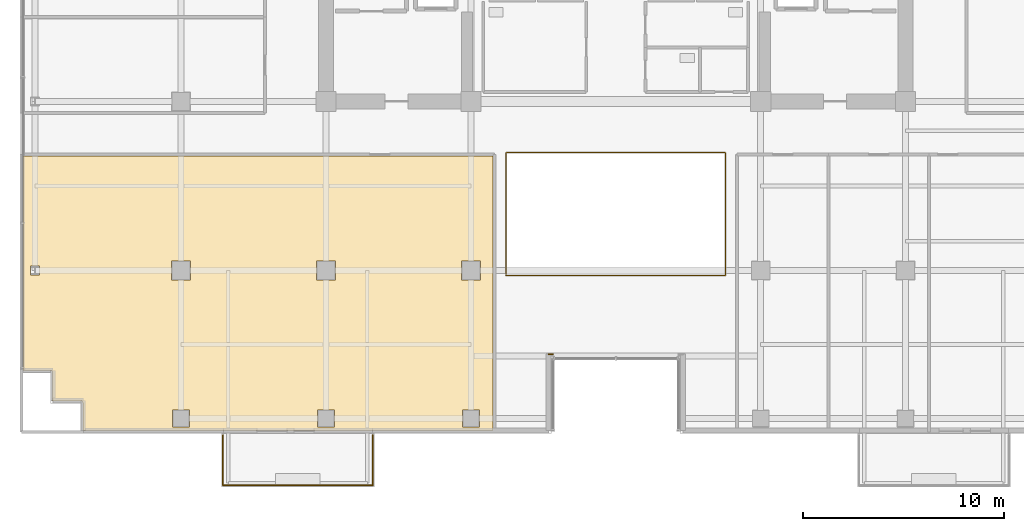
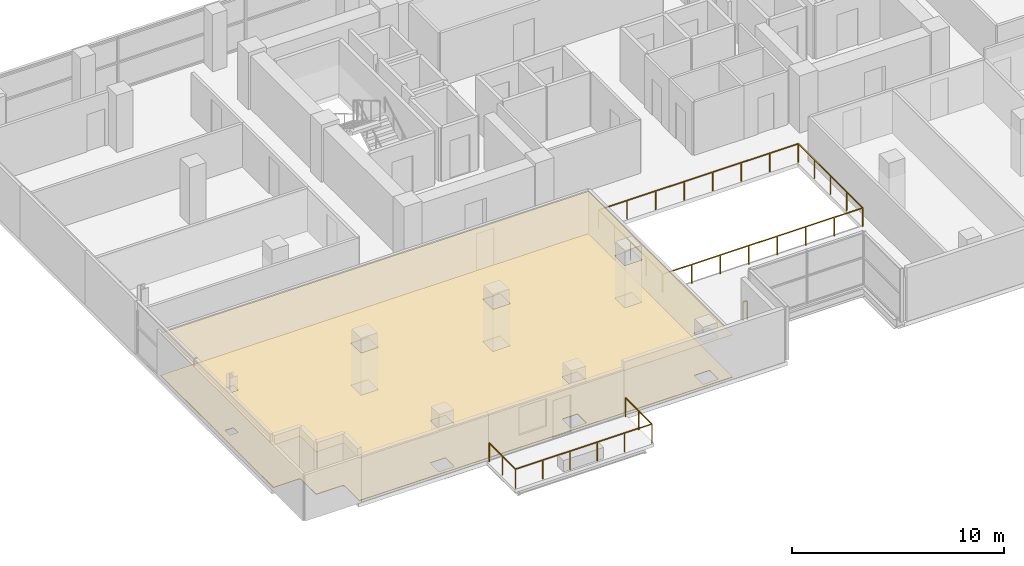
# One storey, part 23 of 27: 3 railings, 2 coverings.
"""IFC4 building model written with IfcOpenShell, lengths in metres."""

from ifc_helpers import new_model, si_unit, direction, frame, origin, origin_2d, place, context, subcontext, project, spatial, polyline, rectangle, outline, extrude, material, layer, layer_set, type_object, element, save


model = new_model("IFC4")

# Units and contexts
model_context = context("Model", 3, precision=1e-05, world=origin(), true_north=direction((0.0, 1.0)))
body_context = subcontext(model_context, "Body", "Model", "MODEL_VIEW")
ifc_project = project(units=[si_unit("LENGTHUNIT", "METRE"), si_unit("AREAUNIT", "SQUARE_METRE"), si_unit("VOLUMEUNIT", "CUBIC_METRE"), si_unit("PLANEANGLEUNIT", "RADIAN"), si_unit("MASSUNIT", "GRAM", prefix="KILO")], contexts=[model_context])

# Site, building, storey
site_placement = place(None, origin())
site = spatial("IfcSite", under=ifc_project, at=site_placement, CompositionType="ELEMENT")
building_placement = place(site_placement, origin())
building = spatial("IfcBuilding", under=site, at=building_placement, Name="Zarnakvel Exchange Tower", CompositionType="ELEMENT")
storey_placement = place(building_placement, frame((0.0, 0.0, 106.60009765625)))
storey = spatial("IfcBuildingStorey", under=building, at=storey_placement, Name="L29", CompositionType="ELEMENT", Elevation=106.60009765625)

# Coverings
ifc_material_1 = material(Name="Perforated Bronze Acoustic Metal Ceiling", Category="aluminium")
ifc_layer_1 = layer(ifc_material_1, 0.02001953125)
ifc_layer_set_1 = layer_set([ifc_layer_1], Name="Perforated Bronze Acoustic Metal Ceiling")
covering_type_1 = type_object("IfcCoveringType", Name="CLG-01", PredefinedType="CEILING", material=ifc_layer_set_1)
covering_1_placement = place(storey_placement, frame((0.0, 0.0, 2.454833984375)))
element("IfcCovering", 1, at=covering_1_placement, inside=storey, type_object=covering_type_1, Name="L29 Suspended Acoustic Ceiling (Derivatives Trading Hall)", PredefinedType="CEILING", context=body_context, shape_type="SweptSolid", body=[
    extrude(outline(polyline([(-6.10009765625, -3.909912109375), (-6.10009765625, -17.550048828125), (-26.47998046875, -17.550048828125), (-26.47998046875, -16.199951171875), (-26.48046875, -16.188232421875), (-26.482421875, -16.176513671875), (-26.485107421875, -16.165283203125), (-26.489013671875, -16.154052734375), (-26.494140625, -16.143310546875), (-26.500244140625, -16.13330078125), (-26.50732421875, -16.123779296875), (-26.51513671875, -16.115234375), (-26.52392578125, -16.107177734375), (-26.533447265625, -16.100341796875), (-26.54345703125, -16.09423828125), (-26.55419921875, -16.089111328125), (-26.565185546875, -16.085205078125), (-26.57666015625, -16.082275390625), (-26.588134765625, -16.08056640625), (-26.60009765625, -16.080078125), (-27.97998046875, -16.080078125), (-27.97998046875, -14.699951171875), (-27.98046875, -14.688232421875), (-27.982421875, -14.676513671875), (-27.985107421875, -14.665283203125), (-27.989013671875, -14.654052734375), (-27.994140625, -14.643310546875), (-28.000244140625, -14.63330078125), (-28.00732421875, -14.623779296875), (-28.01513671875, -14.615234375), (-28.02392578125, -14.607177734375), (-28.033447265625, -14.600341796875), (-28.04345703125, -14.59423828125), (-28.05419921875, -14.589111328125), (-28.065185546875, -14.585205078125), (-28.07666015625, -14.582275390625), (-28.088134765625, -14.58056640625), (-28.10009765625, -14.580078125), (-29.449951171875, -14.580078125), (-29.449951171875, -3.909912109375), (-6.10009765625, -3.909912109375)]), holes=[polyline([(-7.669921875, -10.070068359375), (-6.72998046875, -10.070068359375), (-6.72998046875, -9.1298828125), (-7.669921875, -9.1298828125), (-7.669921875, -10.070068359375)]), polyline([(-6.780029296875, -17.3701171875), (-6.780029296875, -16.530029296875), (-7.6201171875, -16.530029296875), (-7.6201171875, -17.3701171875), (-6.780029296875, -17.3701171875)]), polyline([(-13.929931640625, -10.070068359375), (-13.929931640625, -9.1298828125), (-14.8701171875, -9.1298828125), (-14.8701171875, -10.070068359375), (-13.929931640625, -10.070068359375)]), polyline([(-13.97998046875, -17.3701171875), (-13.97998046875, -16.530029296875), (-14.820068359375, -16.530029296875), (-14.820068359375, -17.3701171875), (-13.97998046875, -17.3701171875)]), polyline([(-21.1298828125, -10.070068359375), (-21.1298828125, -9.1298828125), (-22.070068359375, -9.1298828125), (-22.070068359375, -10.070068359375), (-21.1298828125, -10.070068359375)]), polyline([(-21.179931640625, -17.3701171875), (-21.179931640625, -16.530029296875), (-22.02001953125, -16.530029296875), (-22.02001953125, -17.3701171875), (-21.179931640625, -17.3701171875)]), polyline([(-29.072021484375, -9.823486328125), (-28.6279296875, -9.823486328125), (-28.6279296875, -9.37646484375), (-29.072021484375, -9.37646484375), (-29.072021484375, -9.823486328125)])]), origin(), (0.0, 0.0, 1.0), 0.02001953125),
])
ifc_material_2 = material(Name="Heavy-Duty Raised Access Floor Panel", Category="steel")
ifc_layer_2 = layer(ifc_material_2, 0.034912109375)
ifc_layer_set_2 = layer_set([ifc_layer_2], Name="Heavy-Duty Raised Access Floor Panel")
covering_type_2 = type_object("IfcCoveringType", Name="FLR-02", PredefinedType="FLOORING", material=ifc_layer_set_2)
covering_2_placement = place(storey_placement, origin())
element("IfcCovering", 2, at=covering_2_placement, inside=storey, type_object=covering_type_2, Name="L29 Floor Finish (Derivatives Trading Hall)", PredefinedType="FLOORING", context=body_context, shape_type="SweptSolid", body=[
    extrude(outline(polyline([(-6.10009765625, -3.909912109375), (-6.10009765625, -17.550048828125), (-26.47998046875, -17.550048828125), (-26.47998046875, -16.199951171875), (-26.48046875, -16.188232421875), (-26.482421875, -16.176513671875), (-26.485107421875, -16.165283203125), (-26.489013671875, -16.154052734375), (-26.494140625, -16.143310546875), (-26.500244140625, -16.13330078125), (-26.50732421875, -16.123779296875), (-26.51513671875, -16.115234375), (-26.52392578125, -16.107177734375), (-26.533447265625, -16.100341796875), (-26.54345703125, -16.09423828125), (-26.55419921875, -16.089111328125), (-26.565185546875, -16.085205078125), (-26.57666015625, -16.082275390625), (-26.588134765625, -16.08056640625), (-26.60009765625, -16.080078125), (-27.97998046875, -16.080078125), (-27.97998046875, -14.699951171875), (-27.98046875, -14.688232421875), (-27.982421875, -14.676513671875), (-27.985107421875, -14.665283203125), (-27.989013671875, -14.654052734375), (-27.994140625, -14.643310546875), (-28.000244140625, -14.63330078125), (-28.00732421875, -14.623779296875), (-28.01513671875, -14.615234375), (-28.02392578125, -14.607177734375), (-28.033447265625, -14.600341796875), (-28.04345703125, -14.59423828125), (-28.05419921875, -14.589111328125), (-28.065185546875, -14.585205078125), (-28.07666015625, -14.582275390625), (-28.088134765625, -14.58056640625), (-28.10009765625, -14.580078125), (-29.449951171875, -14.580078125), (-29.449951171875, -3.909912109375), (-6.10009765625, -3.909912109375)]), holes=[polyline([(-7.669921875, -10.070068359375), (-6.72998046875, -10.070068359375), (-6.72998046875, -9.1298828125), (-7.669921875, -9.1298828125), (-7.669921875, -10.070068359375)]), polyline([(-6.780029296875, -17.3701171875), (-6.780029296875, -16.530029296875), (-7.6201171875, -16.530029296875), (-7.6201171875, -17.3701171875), (-6.780029296875, -17.3701171875)]), polyline([(-13.929931640625, -10.070068359375), (-13.929931640625, -9.1298828125), (-14.8701171875, -9.1298828125), (-14.8701171875, -10.070068359375), (-13.929931640625, -10.070068359375)]), polyline([(-13.97998046875, -17.3701171875), (-13.97998046875, -16.530029296875), (-14.820068359375, -16.530029296875), (-14.820068359375, -17.3701171875), (-13.97998046875, -17.3701171875)]), polyline([(-21.1298828125, -10.070068359375), (-21.1298828125, -9.1298828125), (-22.070068359375, -9.1298828125), (-22.070068359375, -10.070068359375), (-21.1298828125, -10.070068359375)]), polyline([(-21.179931640625, -17.3701171875), (-21.179931640625, -16.530029296875), (-22.02001953125, -16.530029296875), (-22.02001953125, -17.3701171875), (-21.179931640625, -17.3701171875)]), polyline([(-29.072021484375, -9.823486328125), (-28.6279296875, -9.823486328125), (-28.6279296875, -9.37646484375), (-29.072021484375, -9.37646484375), (-29.072021484375, -9.823486328125)])]), origin(), (0.0, 0.0, 1.0), 0.034912109375),
])

# Railings
ifc_material_3 = material(Name="Architectural Bronze Anodised Aluminium", Category="aluminium")
railing_type_1 = type_object("IfcRailingType", Name="GR-02", PredefinedType="GUARDRAIL", material=ifc_material_3)
railing_1_placement = place(storey_placement, frame((-19.52001953125, -17.780029296875, -0.03515625)))
element("IfcRailing", 3, at=railing_1_placement, inside=storey, type_object=railing_type_1, Name="L29 Balcony Guardrail BAL-L29-SW", PredefinedType="GUARDRAIL", context=body_context, shape_type="SweptSolid", body=[
    extrude(rectangle(XDim=0.048095703125, YDim=0.048095703125, at=origin_2d()), frame((0.0, 0.0, 1.09619140625), z_axis=(0.0, -1.0, 0.0), x_axis=(1.0, 0.0, 0.0)), (0.0, 0.0, 1.0), 2.489990234375),
    extrude(rectangle(XDim=0.048095703125, YDim=0.048095703125, at=origin_2d()), frame((0.0, -2.489990234375, 1.09619140625), z_axis=(1.0, 0.0, 0.0), x_axis=(0.0, 1.0, 0.0)), (0.0, 0.0, 1.0), 7.43994140625),
    extrude(rectangle(XDim=0.048095703125, YDim=0.048095703125, at=origin_2d()), frame((7.43994140625, -2.489990234375, 1.09619140625), z_axis=(0.0, 1.0, 0.0), x_axis=(-1.0, 0.0, 0.0)), (0.0, 0.0, 1.0), 2.489990234375),
    extrude(rectangle(XDim=0.0419921875, YDim=0.0419921875, at=origin_2d()), origin(), (0.0, 0.0, 1.0), 1.072021484375),
    extrude(rectangle(XDim=0.0419921875, YDim=0.0419921875, at=origin_2d()), frame((0.0, -1.2451171875, 0.0)), (0.0, 0.0, 1.0), 1.072021484375),
    extrude(rectangle(XDim=0.0419921875, YDim=0.0419921875, at=origin_2d()), frame((0.0, -2.489990234375, 0.0)), (0.0, 0.0, 1.0), 1.072021484375),
    extrude(rectangle(XDim=0.0419921875, YDim=0.0419921875, at=origin_2d()), frame((1.488037109375, -2.489990234375, 0.0)), (0.0, 0.0, 1.0), 1.072021484375),
    extrude(rectangle(XDim=0.0419921875, YDim=0.0419921875, at=origin_2d()), frame((2.97607421875, -2.489990234375, 0.0)), (0.0, 0.0, 1.0), 1.072021484375),
    extrude(rectangle(XDim=0.0419921875, YDim=0.0419921875, at=origin_2d()), frame((4.4638671875, -2.489990234375, 0.0)), (0.0, 0.0, 1.0), 1.072021484375),
    extrude(rectangle(XDim=0.0419921875, YDim=0.0419921875, at=origin_2d()), frame((5.951904296875, -2.489990234375, 0.0)), (0.0, 0.0, 1.0), 1.072021484375),
    extrude(rectangle(XDim=0.0419921875, YDim=0.0419921875, at=origin_2d()), frame((7.43994140625, -2.489990234375, 0.0)), (0.0, 0.0, 1.0), 1.072021484375),
    extrude(rectangle(XDim=0.0419921875, YDim=0.0419921875, at=origin_2d()), frame((7.43994140625, -1.2451171875, 0.0)), (0.0, 0.0, 1.0), 1.072021484375),
    extrude(rectangle(XDim=0.0419921875, YDim=0.0419921875, at=origin_2d()), frame((7.43994140625, 0.0, 0.0)), (0.0, 0.0, 1.0), 1.072021484375),
])
railing_2_placement = place(storey_placement, frame((-3.1201171875, -13.760009765625, 0.0)))
element("IfcRailing", 4, at=railing_2_placement, inside=storey, type_object=railing_type_1, Name="L29 Corner Spandrel Balustrade #19", PredefinedType="GUARDRAIL", context=body_context, shape_type="SweptSolid", body=[
    extrude(rectangle(XDim=0.048095703125, YDim=0.048095703125, at=origin_2d()), frame((0.0, 0.0, 1.09619140625), z_axis=(-1.0, 0.0, 0.0), x_axis=(0.0, -1.0, 0.0)), (0.0, 0.0, 1.0), 0.219970703125),
    extrude(rectangle(XDim=0.0419921875, YDim=0.0419921875, at=origin_2d()), origin(), (0.0, 0.0, 1.0), 1.072021484375),
    extrude(rectangle(XDim=0.0419921875, YDim=0.0419921875, at=origin_2d()), frame((-0.219970703125, 0.0, 0.0)), (0.0, 0.0, 1.0), 1.072021484375),
])
railing_type_2 = type_object("IfcRailingType", Name="GR-03", PredefinedType="GUARDRAIL", material=ifc_material_3)
railing_3_placement = place(storey_placement, frame((-5.449951171875, -9.85009765625, 0.0)))
element("IfcRailing", 5, at=railing_3_placement, inside=storey, type_object=railing_type_2, Name="L29 Atrium Void Perimeter Balustrade", PredefinedType="GUARDRAIL", context=body_context, shape_type="SweptSolid", body=[
    extrude(rectangle(XDim=0.048095703125, YDim=0.048095703125, at=origin_2d()), frame((0.0, 0.0, 1.076171875), z_axis=(1.0, 0.0, 0.0), x_axis=(0.0, 1.0, 0.0)), (0.0, 0.0, 1.0), 10.89990234375),
    extrude(rectangle(XDim=0.048095703125, YDim=0.048095703125, at=origin_2d()), frame((10.89990234375, 0.0, 1.076171875), z_axis=(0.0, 1.0, 0.0), x_axis=(-1.0, 0.0, 0.0)), (0.0, 0.0, 1.0), 6.10009765625),
    extrude(rectangle(XDim=0.048095703125, YDim=0.048095703125, at=origin_2d()), frame((10.89990234375, 6.10009765625, 1.076171875), z_axis=(-1.0, 0.0, 0.0), x_axis=(0.0, -1.0, 0.0)), (0.0, 0.0, 1.0), 10.89990234375),
    extrude(rectangle(XDim=0.048095703125, YDim=0.048095703125, at=origin_2d()), frame((0.0, 6.10009765625, 1.076171875), z_axis=(0.0, -1.0, 0.0), x_axis=(1.0, 0.0, 0.0)), (0.0, 0.0, 1.0), 6.02001953125),
    extrude(rectangle(XDim=0.0419921875, YDim=0.0419921875, at=origin_2d()), origin(), (0.0, 0.0, 1.0), 1.052001953125),
    extrude(rectangle(XDim=0.0419921875, YDim=0.0419921875, at=origin_2d()), frame((1.55712890625, 0.0, 0.0)), (0.0, 0.0, 1.0), 1.052001953125),
    extrude(rectangle(XDim=0.0419921875, YDim=0.0419921875, at=origin_2d()), frame((3.1142578125, 0.0, 0.0)), (0.0, 0.0, 1.0), 1.052001953125),
    extrude(rectangle(XDim=0.0419921875, YDim=0.0419921875, at=origin_2d()), frame((4.67138671875, 0.0, 0.0)), (0.0, 0.0, 1.0), 1.052001953125),
    extrude(rectangle(XDim=0.0419921875, YDim=0.0419921875, at=origin_2d()), frame((6.228515625, 0.0, 0.0)), (0.0, 0.0, 1.0), 1.052001953125),
    extrude(rectangle(XDim=0.0419921875, YDim=0.0419921875, at=origin_2d()), frame((7.78564453125, 0.0, 0.0)), (0.0, 0.0, 1.0), 1.052001953125),
    extrude(rectangle(XDim=0.0419921875, YDim=0.0419921875, at=origin_2d()), frame((9.3427734375, 0.0, 0.0)), (0.0, 0.0, 1.0), 1.052001953125),
    extrude(rectangle(XDim=0.0419921875, YDim=0.0419921875, at=origin_2d()), frame((10.89990234375, 0.0, 0.0)), (0.0, 0.0, 1.0), 1.052001953125),
    extrude(rectangle(XDim=0.0419921875, YDim=0.0419921875, at=origin_2d()), frame((10.89990234375, 1.52490234375, 0.0)), (0.0, 0.0, 1.0), 1.052001953125),
    extrude(rectangle(XDim=0.0419921875, YDim=0.0419921875, at=origin_2d()), frame((10.89990234375, 3.050048828125, 0.0)), (0.0, 0.0, 1.0), 1.052001953125),
    extrude(rectangle(XDim=0.0419921875, YDim=0.0419921875, at=origin_2d()), frame((10.89990234375, 4.5751953125, 0.0)), (0.0, 0.0, 1.0), 1.052001953125),
    extrude(rectangle(XDim=0.0419921875, YDim=0.0419921875, at=origin_2d()), frame((10.89990234375, 6.10009765625, 0.0)), (0.0, 0.0, 1.0), 1.052001953125),
    extrude(rectangle(XDim=0.0419921875, YDim=0.0419921875, at=origin_2d()), frame((9.3427734375, 6.10009765625, 0.0)), (0.0, 0.0, 1.0), 1.052001953125),
    extrude(rectangle(XDim=0.0419921875, YDim=0.0419921875, at=origin_2d()), frame((7.78564453125, 6.10009765625, 0.0)), (0.0, 0.0, 1.0), 1.052001953125),
    extrude(rectangle(XDim=0.0419921875, YDim=0.0419921875, at=origin_2d()), frame((6.228515625, 6.10009765625, 0.0)), (0.0, 0.0, 1.0), 1.052001953125),
    extrude(rectangle(XDim=0.0419921875, YDim=0.0419921875, at=origin_2d()), frame((4.67138671875, 6.10009765625, 0.0)), (0.0, 0.0, 1.0), 1.052001953125),
    extrude(rectangle(XDim=0.0419921875, YDim=0.0419921875, at=origin_2d()), frame((3.1142578125, 6.10009765625, 0.0)), (0.0, 0.0, 1.0), 1.052001953125),
    extrude(rectangle(XDim=0.0419921875, YDim=0.0419921875, at=origin_2d()), frame((1.55712890625, 6.10009765625, 0.0)), (0.0, 0.0, 1.0), 1.052001953125),
    extrude(rectangle(XDim=0.0419921875, YDim=0.0419921875, at=origin_2d()), frame((0.0, 6.10009765625, 0.0)), (0.0, 0.0, 1.0), 1.052001953125),
    extrude(rectangle(XDim=0.0419921875, YDim=0.0419921875, at=origin_2d()), frame((0.0, 4.59521484375, 0.0)), (0.0, 0.0, 1.0), 1.052001953125),
    extrude(rectangle(XDim=0.0419921875, YDim=0.0419921875, at=origin_2d()), frame((0.0, 3.090087890625, 0.0)), (0.0, 0.0, 1.0), 1.052001953125),
    extrude(rectangle(XDim=0.0419921875, YDim=0.0419921875, at=origin_2d()), frame((0.0, 1.5849609375, 0.0)), (0.0, 0.0, 1.0), 1.052001953125),
    extrude(rectangle(XDim=0.0419921875, YDim=0.0419921875, at=origin_2d()), frame((0.0, 0.080078125, 0.0)), (0.0, 0.0, 1.0), 1.052001953125),
])

save(model, "model.ifc")
